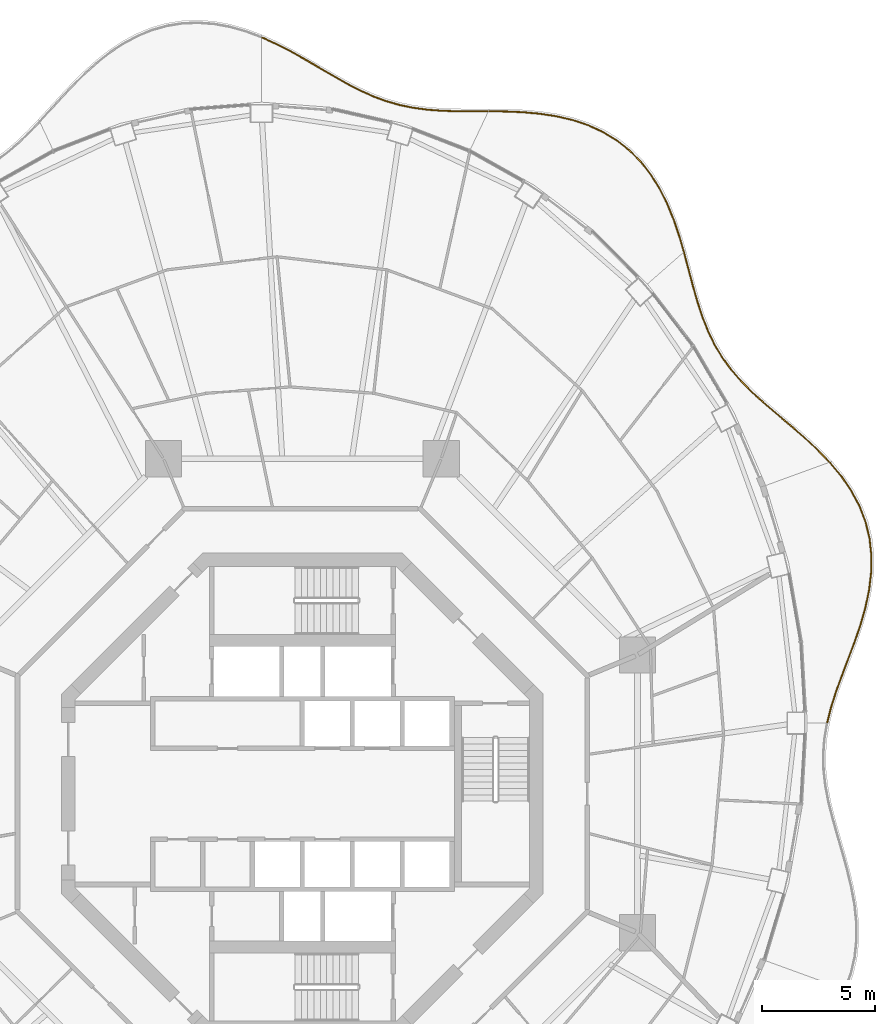
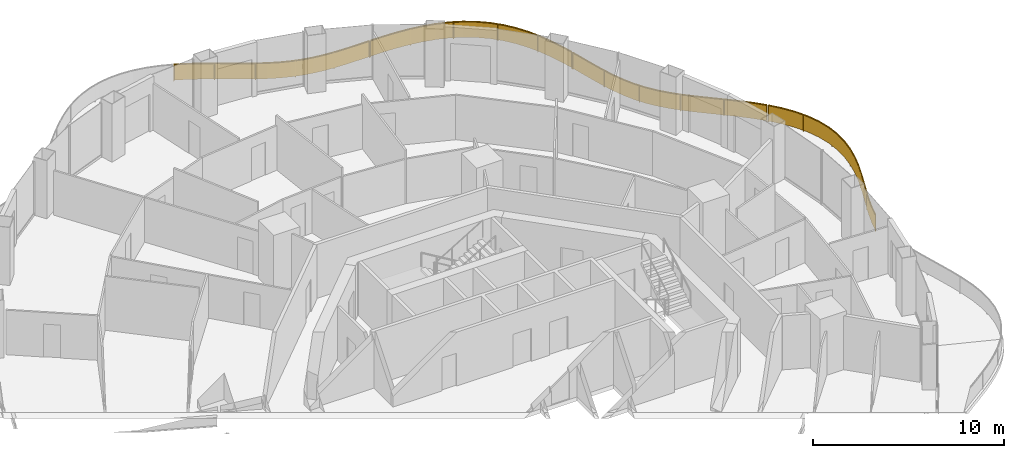
# One storey, part 18 of 18: 4 railings.
"""IFC4 building model written with IfcOpenShell, lengths in metres."""

from ifc_helpers import new_model, si_unit, direction, frame, origin, origin_2d, place, context, subcontext, project, spatial, polyline, rectangle, outline, extrude, material, type_object, element, save


model = new_model("IFC4")

# Units and contexts
model_context = context("Model", 3, precision=1e-05, world=origin(), true_north=direction((0.0, 1.0)))
body_context = subcontext(model_context, "Body", "Model", "MODEL_VIEW")
ifc_project = project(units=[si_unit("LENGTHUNIT", "METRE"), si_unit("AREAUNIT", "SQUARE_METRE"), si_unit("VOLUMEUNIT", "CUBIC_METRE"), si_unit("PLANEANGLEUNIT", "RADIAN"), si_unit("MASSUNIT", "GRAM", prefix="KILO")], contexts=[model_context])

# Site, building, storey
site_placement = place(None, origin())
site = spatial("IfcSite", under=ifc_project, at=site_placement, CompositionType="ELEMENT")
building_placement = place(site_placement, origin())
building = spatial("IfcBuilding", under=site, at=building_placement, Name="Nagisa Residences", CompositionType="ELEMENT")
storey_placement = place(building_placement, frame((0.0, 0.0, 230.699951171875)))
storey = spatial("IfcBuildingStorey", under=building, at=storey_placement, Name="L58", CompositionType="ELEMENT", Elevation=230.699951171875)

# Railings
ifc_material = material(Name="Stainless steel 316", Category="steel")
railing_type = type_object("IfcRailingType", Name="BALCONY GUARD 1100", PredefinedType="BALUSTRADE", material=ifc_material)
railing_1_placement = place(storey_placement, frame((23.150390625, 3.15185546875, 0.0)))
element("IfcRailing", 1, at=railing_1_placement, inside=storey, type_object=railing_type, Name="guard:L58:bal00-0", PredefinedType="BALUSTRADE", context=body_context, shape_type="SweptSolid", body=[
    extrude(outline(polyline([(0.142333984375, 0.659423828125), (-0.024169921875, 0.006103515625), (0.024169921875, -0.006103515625), (0.190673828125, 0.645751953125), (0.4150390625, 1.348388671875), (0.6748046875, 2.064697265625), (0.95263671875, 2.79638671875), (1.230224609375, 3.54345703125), (1.490234375, 4.290283203125), (1.709716796875, 5.06103515625), (1.87255859375, 5.837158203125), (1.9638671875, 6.613037109375), (1.9716796875, 7.382080078125), (1.890625, 8.12353515625), (1.7109375, 8.858154296875), (1.436767578125, 9.56640625), (1.073974609375, 10.24365234375), (0.63134765625, 10.8876953125), (0.15087890625, 11.46044921875), (0.1123046875, 11.42822265625), (0.59130859375, 10.857421875), (1.031005859375, 10.2177734375), (1.391357421875, 9.54541015625), (1.6630859375, 8.843017578125), (1.84130859375, 8.11474609375), (1.92138671875, 7.379638671875), (1.9140625, 6.616455078125), (1.8232421875, 5.845458984375), (1.660888671875, 5.0732421875), (1.4423828125, 4.305419921875), (1.183349609375, 3.560546875), (0.90576171875, 2.81396484375), (0.6279296875, 2.082275390625), (0.36767578125, 1.364501953125), (0.142333984375, 0.659423828125)])), frame((0.0, 0.0, 1.050048828125)), (0.0, 0.0, 1.0), 0.050048828125),
    extrude(outline(polyline([(0.15966796875, 0.654541015625), (-0.0068359375, 0.001708984375), (0.0068359375, -0.001708984375), (0.17333984375, 0.650634765625), (0.39794921875, 1.354248046875), (0.657958984375, 2.071044921875), (0.935791015625, 2.802734375), (1.21337890625, 3.549560546875), (1.472900390625, 4.295654296875), (1.692138671875, 5.0654296875), (1.854736328125, 5.840087890625), (1.946044921875, 6.6142578125), (1.95361328125, 7.381103515625), (1.872802734375, 8.120361328125), (1.693603515625, 8.852783203125), (1.42041015625, 9.558837890625), (1.05859375, 10.234375), (0.616943359375, 10.876708984375), (0.136962890625, 11.44873046875), (0.126220703125, 11.43994140625), (0.605712890625, 10.868408203125), (1.04638671875, 10.22705078125), (1.40771484375, 9.552978515625), (1.680419921875, 8.848388671875), (1.859130859375, 8.117919921875), (1.939453125, 7.380615234375), (1.931884765625, 6.615234375), (1.841064453125, 5.842529296875), (1.678466796875, 5.06884765625), (1.459716796875, 4.300048828125), (1.2001953125, 3.554443359375), (0.922607421875, 2.8076171875), (0.644775390625, 2.075927734375), (0.384765625, 1.358642578125), (0.15966796875, 0.654541015625)])), frame((0.0, 0.0, 0.06005859375)), (0.0, 0.0, 1.0), 0.989990234375),
    extrude(rectangle(XDim=0.0400390625, YDim=0.0400390625, at=origin_2d()), origin(), (0.0, 0.0, 1.0), 1.050048828125),
    extrude(rectangle(XDim=0.0400390625, YDim=0.0400390625, at=origin_2d()), frame((0.604248046875, 1.94384765625, 0.0)), (0.0, 0.0, 1.0), 1.050048828125),
    extrude(rectangle(XDim=0.0400390625, YDim=0.0400390625, at=origin_2d()), frame((1.311767578125, 3.85400390625, 0.0)), (0.0, 0.0, 1.0), 1.050048828125),
    extrude(rectangle(XDim=0.0400390625, YDim=0.0400390625, at=origin_2d()), frame((1.843017578125, 5.818115234375, 0.0)), (0.0, 0.0, 1.0), 1.050048828125),
    extrude(rectangle(XDim=0.0400390625, YDim=0.0400390625, at=origin_2d()), frame((1.895751953125, 7.8466796875, 0.0)), (0.0, 0.0, 1.0), 1.050048828125),
    extrude(rectangle(XDim=0.0400390625, YDim=0.0400390625, at=origin_2d()), frame((1.294189453125, 9.779541015625, 0.0)), (0.0, 0.0, 1.0), 1.050048828125),
    extrude(rectangle(XDim=0.0400390625, YDim=0.0400390625, at=origin_2d()), frame((0.131591796875, 11.4443359375, 0.0)), (0.0, 0.0, 1.0), 1.050048828125),
])
railing_2_placement = place(storey_placement, frame((23.2294921875, 14.653076171875, 0.0)))
element("IfcRailing", 2, at=railing_2_placement, inside=storey, type_object=railing_type, Name="guard:L58:bal01-0", PredefinedType="BALUSTRADE", context=body_context, shape_type="SweptSolid", body=[
    extrude(outline(polyline([(-0.52734375, 0.50634765625), (-0.017822265625, -0.017333984375), (0.017822265625, 0.017333984375), (-0.4921875, 0.5419921875), (-1.064453125, 1.07421875), (-1.651123046875, 1.584228515625), (-2.236328125, 2.07861328125), (-2.803955078125, 2.565185546875), (-3.3349609375, 3.03955078125), (-3.83154296875, 3.535888671875), (-4.27978515625, 4.050048828125), (-4.67626953125, 4.589111328125), (-5.0205078125, 5.158935546875), (-5.3076171875, 5.751220703125), (-5.561767578125, 6.392333984375), (-5.78369140625, 7.06884765625), (-5.985107421875, 7.77685546875), (-6.179931640625, 8.509521484375), (-6.36767578125, 9.21484375), (-6.416015625, 9.2021484375), (-6.228271484375, 8.496826171875), (-6.033447265625, 7.763671875), (-5.83154296875, 7.05419921875), (-5.608642578125, 6.375244140625), (-5.353515625, 5.731201171875), (-5.064453125, 5.135009765625), (-4.7177734375, 4.561279296875), (-4.31884765625, 4.018798828125), (-3.8681640625, 3.501708984375), (-3.369140625, 3.0029296875), (-2.837158203125, 2.527587890625), (-2.2685546875, 2.04052734375), (-1.683837890625, 1.546142578125), (-1.09814453125, 1.037109375), (-0.52734375, 0.50634765625)])), frame((0.0, 0.0, 1.050048828125)), (0.0, 0.0, 1.0), 0.050048828125),
    extrude(outline(polyline([(-0.5146484375, 0.51904296875), (-0.005126953125, -0.0048828125), (0.005126953125, 0.0048828125), (-0.5048828125, 0.529296875), (-1.07666015625, 1.060791015625), (-1.662841796875, 1.570556640625), (-2.247802734375, 2.06494140625), (-2.81591796875, 2.5517578125), (-3.34716796875, 3.0263671875), (-3.8447265625, 3.523681640625), (-4.2939453125, 4.038818359375), (-4.691162109375, 4.5791015625), (-5.036376953125, 5.150390625), (-5.32421875, 5.744140625), (-5.57861328125, 6.38623046875), (-5.801025390625, 7.0634765625), (-6.00244140625, 7.772216796875), (-6.197265625, 8.5048828125), (-6.385009765625, 9.210205078125), (-6.398681640625, 9.206787109375), (-6.2109375, 8.50146484375), (-6.01611328125, 7.768310546875), (-5.814208984375, 7.0595703125), (-5.591796875, 6.38134765625), (-5.3369140625, 5.73828125), (-5.048583984375, 5.1435546875), (-4.702880859375, 4.5712890625), (-4.3046875, 4.030029296875), (-3.85498046875, 3.513916015625), (-3.35693359375, 3.01611328125), (-2.8251953125, 2.541015625), (-2.257080078125, 2.05419921875), (-1.672119140625, 1.559814453125), (-1.0859375, 1.050537109375), (-0.5146484375, 0.51904296875)])), frame((0.0, 0.0, 0.06005859375)), (0.0, 0.0, 1.0), 0.989990234375),
    extrude(rectangle(XDim=0.0400390625, YDim=0.0400390625, at=origin_2d()), origin(), (0.0, 0.0, 1.0), 1.050048828125),
    extrude(rectangle(XDim=0.0400390625, YDim=0.0400390625, at=origin_2d()), frame((-1.681396484375, 1.576904296875, 0.0)), (0.0, 0.0, 1.0), 1.050048828125),
    extrude(rectangle(XDim=0.0400390625, YDim=0.0400390625, at=origin_2d()), frame((-3.421142578125, 3.09033203125, 0.0)), (0.0, 0.0, 1.0), 1.050048828125),
    extrude(rectangle(XDim=0.0400390625, YDim=0.0400390625, at=origin_2d()), frame((-4.87548828125, 4.87060546875, 0.0)), (0.0, 0.0, 1.0), 1.050048828125),
    extrude(rectangle(XDim=0.0400390625, YDim=0.0400390625, at=origin_2d()), frame((-5.7822265625, 6.984130859375, 0.0)), (0.0, 0.0, 1.0), 1.050048828125),
    extrude(rectangle(XDim=0.0400390625, YDim=0.0400390625, at=origin_2d()), frame((-6.391845703125, 9.20849609375, 0.0)), (0.0, 0.0, 1.0), 1.050048828125),
])
railing_3_placement = place(storey_placement, frame((16.818359375, 23.935791015625, 0.0)))
element("IfcRailing", 3, at=railing_3_placement, inside=storey, type_object=railing_type, Name="guard:L58:bal02-0", PredefinedType="BALUSTRADE", context=body_context, shape_type="SweptSolid", body=[
    extrude(outline(polyline([(-0.220458984375, 0.667236328125), (-0.02392578125, -0.007080078125), (0.02392578125, 0.007080078125), (-0.172607421875, 0.682373046875), (-0.415771484375, 1.39453125), (-0.69970703125, 2.088623046875), (-1.032470703125, 2.753173828125), (-1.42041015625, 3.376953125), (-1.854736328125, 3.93896484375), (-2.360107421875, 4.45166015625), (-2.9228515625, 4.898193359375), (-3.53857421875, 5.2744140625), (-4.2001953125, 5.579345703125), (-4.887939453125, 5.806396484375), (-5.614501953125, 5.975830078125), (-6.36181640625, 6.08935546875), (-7.1181640625, 6.15576171875), (-7.87451171875, 6.186767578125), (-8.576904296875, 6.192626953125), (-8.577392578125, 6.142822265625), (-7.8759765625, 6.136962890625), (-7.12158203125, 6.10595703125), (-6.36767578125, 6.03955078125), (-5.623779296875, 5.926513671875), (-4.901611328125, 5.758056640625), (-4.21875, 5.532470703125), (-3.56201171875, 5.22998046875), (-2.95166015625, 4.857177734375), (-2.393798828125, 4.41455078125), (-1.892333984375, 3.90576171875), (-1.46142578125, 3.34814453125), (-1.076416015625, 2.728759765625), (-0.7451171875, 2.068115234375), (-0.462646484375, 1.376953125), (-0.220458984375, 0.667236328125)])), frame((0.0, 0.0, 1.050048828125)), (0.0, 0.0, 1.0), 0.050048828125),
    extrude(outline(polyline([(-0.203125, 0.672607421875), (-0.0068359375, -0.001953125), (0.0068359375, 0.001953125), (-0.18994140625, 0.677001953125), (-0.4326171875, 1.38818359375), (-0.716064453125, 2.081298828125), (-1.04833984375, 2.744384765625), (-1.43505859375, 3.366455078125), (-1.8681640625, 3.927001953125), (-2.372314453125, 4.438232421875), (-2.933349609375, 4.883544921875), (-3.546875, 5.25830078125), (-4.206787109375, 5.5625), (-4.892822265625, 5.7890625), (-5.617919921875, 5.9580078125), (-6.364013671875, 6.0712890625), (-7.119384765625, 6.137939453125), (-7.875, 6.1689453125), (-8.5771484375, 6.1748046875), (-8.5771484375, 6.16064453125), (-7.87548828125, 6.15478515625), (-7.120361328125, 6.123779296875), (-6.365478515625, 6.0576171875), (-5.620361328125, 5.9443359375), (-4.896728515625, 5.775390625), (-4.212158203125, 5.54931640625), (-3.5537109375, 5.24609375), (-2.941162109375, 4.871826171875), (-2.381591796875, 4.427978515625), (-1.87890625, 3.917724609375), (-1.44677734375, 3.358642578125), (-1.060546875, 2.737548828125), (-0.728759765625, 2.075439453125), (-0.44580078125, 1.38330078125), (-0.203125, 0.672607421875)])), frame((0.0, 0.0, 0.06005859375)), (0.0, 0.0, 1.0), 0.989990234375),
    extrude(rectangle(XDim=0.0400390625, YDim=0.0400390625, at=origin_2d()), origin(), (0.0, 0.0, 1.0), 1.050048828125),
    extrude(rectangle(XDim=0.0400390625, YDim=0.0400390625, at=origin_2d()), frame((-0.78369140625, 2.20068359375, 0.0)), (0.0, 0.0, 1.0), 1.050048828125),
    extrude(rectangle(XDim=0.0400390625, YDim=0.0400390625, at=origin_2d()), frame((-2.080810546875, 4.132568359375, 0.0)), (0.0, 0.0, 1.0), 1.050048828125),
    extrude(rectangle(XDim=0.0400390625, YDim=0.0400390625, at=origin_2d()), frame((-3.9892578125, 5.45458984375, 0.0)), (0.0, 0.0, 1.0), 1.050048828125),
    extrude(rectangle(XDim=0.0400390625, YDim=0.0400390625, at=origin_2d()), frame((-6.2431640625, 6.0458984375, 0.0)), (0.0, 0.0, 1.0), 1.050048828125),
    extrude(rectangle(XDim=0.0400390625, YDim=0.0400390625, at=origin_2d()), frame((-8.5771484375, 6.167724609375, 0.0)), (0.0, 0.0, 1.0), 1.050048828125),
])
railing_4_placement = place(storey_placement, frame((8.1650390625, 30.10205078125, 0.0)))
element("IfcRailing", 4, at=railing_4_placement, inside=storey, type_object=railing_type, Name="guard:L58:bal03-0", PredefinedType="BALUSTRADE", context=body_context, shape_type="SweptSolid", body=[
    extrude(outline(polyline([(-0.66064453125, -0.026611328125), (0.0, -0.02490234375), (0.0, 0.02490234375), (-0.66064453125, 0.023681640625), (-1.348876953125, 0.029296875), (-2.016357421875, 0.051513671875), (-2.662109375, 0.1005859375), (-3.287109375, 0.18505859375), (-3.876953125, 0.305908203125), (-4.4697265625, 0.476806640625), (-5.052978515625, 0.694091796875), (-5.6328125, 0.955078125), (-6.214599609375, 1.2548828125), (-6.7861328125, 1.583251953125), (-7.38720703125, 1.934814453125), (-8.00390625, 2.29541015625), (-8.638671875, 2.6513671875), (-9.292236328125, 2.988525390625), (-9.919677734375, 3.27587890625), (-9.940673828125, 3.23046875), (-9.314208984375, 2.943603515625), (-8.66259765625, 2.607421875), (-8.02880859375, 2.251953125), (-7.41259765625, 1.891845703125), (-6.81103515625, 1.539794921875), (-6.238525390625, 1.2109375), (-5.65478515625, 0.91015625), (-5.072021484375, 0.647705078125), (-4.4853515625, 0.429443359375), (-3.88916015625, 0.257080078125), (-3.29541015625, 0.1357421875), (-2.66748046875, 0.05078125), (-2.019287109375, 0.001708984375), (-1.349853515625, -0.0205078125), (-0.66064453125, -0.026611328125)])), frame((0.0, 0.0, 1.050048828125)), (0.0, 0.0, 1.0), 0.050048828125),
    extrude(outline(polyline([(-0.66064453125, -0.008544921875), (0.0, -0.007080078125), (0.0, 0.007080078125), (-0.66064453125, 0.005615234375), (-1.34912109375, 0.011474609375), (-2.017333984375, 0.03369140625), (-2.6640625, 0.082763671875), (-3.2900390625, 0.167236328125), (-3.88134765625, 0.288330078125), (-4.475341796875, 0.459716796875), (-5.059814453125, 0.677490234375), (-5.640869140625, 0.93896484375), (-6.22314453125, 1.239013671875), (-6.795166015625, 1.567626953125), (-7.396484375, 1.91943359375), (-8.012939453125, 2.27978515625), (-8.647216796875, 2.635498046875), (-9.300048828125, 2.972412109375), (-9.92724609375, 3.259521484375), (-9.93310546875, 3.246826171875), (-9.306396484375, 2.959716796875), (-8.654052734375, 2.623291015625), (-8.019775390625, 2.267578125), (-7.4033203125, 1.9072265625), (-6.802001953125, 1.555419921875), (-6.22998046875, 1.226806640625), (-5.646728515625, 0.92626953125), (-5.065185546875, 0.664306640625), (-4.479736328125, 0.446533203125), (-3.884765625, 0.274658203125), (-3.29248046875, 0.153564453125), (-2.66552734375, 0.068603515625), (-2.018310546875, 0.01953125), (-1.349609375, -0.002685546875), (-0.66064453125, -0.008544921875)])), frame((0.0, 0.0, 0.06005859375)), (0.0, 0.0, 1.0), 0.989990234375),
    extrude(rectangle(XDim=0.0400390625, YDim=0.0400390625, at=origin_2d()), origin(), (0.0, 0.0, 1.0), 1.050048828125),
    extrude(rectangle(XDim=0.0400390625, YDim=0.0400390625, at=origin_2d()), frame((-2.13134765625, 0.03515625, 0.0)), (0.0, 0.0, 1.0), 1.050048828125),
    extrude(rectangle(XDim=0.0400390625, YDim=0.0400390625, at=origin_2d()), frame((-4.22998046875, 0.381591796875, 0.0)), (0.0, 0.0, 1.0), 1.050048828125),
    extrude(rectangle(XDim=0.0400390625, YDim=0.0400390625, at=origin_2d()), frame((-6.1884765625, 1.21337890625, 0.0)), (0.0, 0.0, 1.0), 1.050048828125),
    extrude(rectangle(XDim=0.0400390625, YDim=0.0400390625, at=origin_2d()), frame((-8.032958984375, 2.282958984375, 0.0)), (0.0, 0.0, 1.0), 1.050048828125),
    extrude(rectangle(XDim=0.0400390625, YDim=0.0400390625, at=origin_2d()), frame((-9.93017578125, 3.253173828125, 0.0)), (0.0, 0.0, 1.0), 1.050048828125),
])

save(model, "model.ifc")
